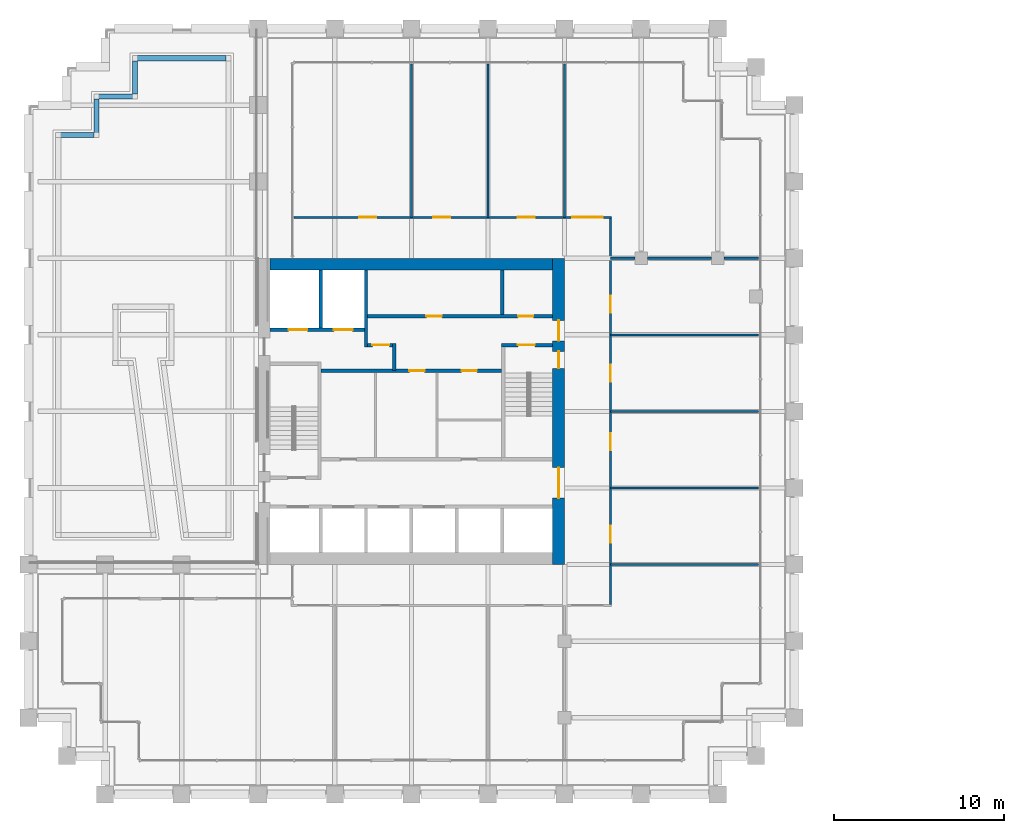
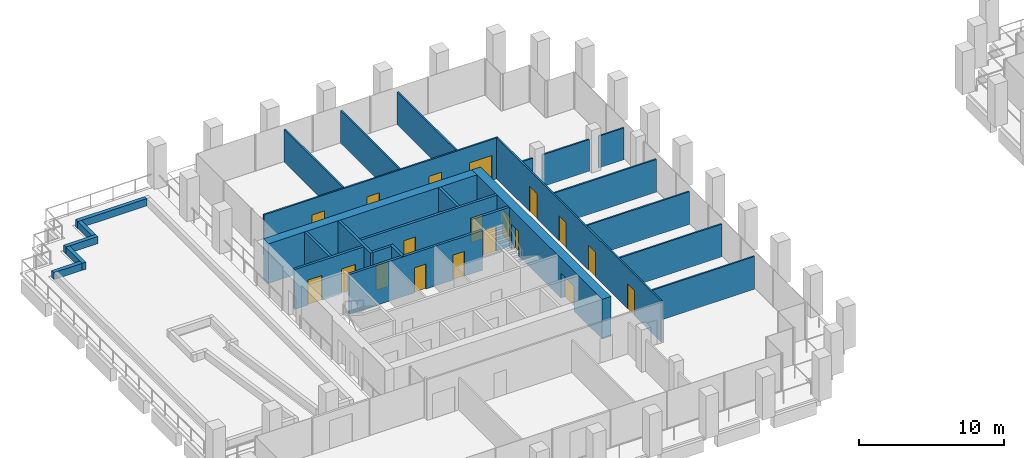
# One storey, part 46 of 52: 28 walls, 19 doors, 19 openings.
"""IFC4 building model written with IfcOpenShell, lengths in metres."""

import ifcopenshell
import ifcopenshell.guid

model = None  # the IFC model being written
_history = None  # IfcOwnerHistory: only IFC2X3 demands one
_inside = {}  # id of a spatial element -> (the spatial element, [elements in it])
_under = {}  # id of a project, library or spatial element -> (it, [spatial elements below it])
_declared = {}  # id of a project -> (the project, [libraries it declares])
_typed = {}  # id of a type object -> (the type object, [elements of that type])
_made_of = {}  # id of a material, layer set ... -> (it, [elements and type objects made of it])


def new_model(schema):
    """Start an empty IFC model of exactly this schema.

    Asked for "IFC4X3", IfcOpenShell would pick the latest addendum, in which some entities
    have other attributes; the version numbers below select the first issue.
    IFC2X3 requires an IfcOwnerHistory on every rooted entity: one is made here for all.
    """
    global model, _history
    if schema == "IFC4X3":
        model = ifcopenshell.file(schema_version=(4, 3, 0, 0))
    else:
        model = ifcopenshell.file(schema=schema)
    _inside.clear()
    _under.clear()
    _declared.clear()
    _typed.clear()
    _made_of.clear()
    _history = None
    if model.schema == "IFC2X3":
        org = make("IfcOrganization", Name="unknown")
        user = make(
            "IfcPersonAndOrganization",
            ThePerson=make("IfcPerson", FamilyName="unknown"),
            TheOrganization=org,
        )
        app = make(
            "IfcApplication",
            ApplicationDeveloper=org,
            Version="unknown",
            ApplicationFullName="unknown",
            ApplicationIdentifier="unknown",
        )
        _history = make(
            "IfcOwnerHistory",
            OwningUser=user,
            OwningApplication=app,
            ChangeAction="ADDED",
            CreationDate=0,
        )
    return model


def make(cls, **values):
    """One entity of the class cls with the attributes given. An attribute that is None is left unset."""
    return model.create_entity(
        cls, **{name: value for name, value in values.items() if value is not None}
    )


def rooted(cls, **values):
    """An entity with a GlobalId (a new one), such as an element, a storey or a relation."""
    return make(cls, GlobalId=ifcopenshell.guid.new(), OwnerHistory=_history, **values)


def si_unit(unit_type, name, prefix=None):
    """IfcSIUnit, for example si_unit("LENGTHUNIT", "METRE", prefix="MILLI")."""
    return make("IfcSIUnit", UnitType=unit_type, Prefix=prefix, Name=name)


def assignment(units):
    """IfcUnitAssignment: the units of a project."""
    return None if units is None else make("IfcUnitAssignment", Units=units)


def point(xyz):
    """IfcCartesianPoint."""
    return None if xyz is None else make("IfcCartesianPoint", Coordinates=xyz)


def direction(xyz):
    """IfcDirection."""
    return None if xyz is None else make("IfcDirection", DirectionRatios=xyz)


def frame(location, z_axis=None, x_axis=None):
    """IfcAxis2Placement3D, a coordinate frame: its origin and axes. An axis left out is left unset."""
    return make(
        "IfcAxis2Placement3D",
        Location=point(location),
        Axis=direction(z_axis),
        RefDirection=direction(x_axis),
    )


def frame_2d(location, x_axis=None):
    """IfcAxis2Placement2D, a coordinate frame in the plane: its origin and x axis."""
    return make(
        "IfcAxis2Placement2D", Location=point(location), RefDirection=direction(x_axis)
    )


def origin():
    """The frame at (0, 0, 0) with its axes left unset."""
    return frame((0.0, 0.0, 0.0))


def place(relative_to, where):
    """IfcLocalPlacement: puts the frame where relative to a parent placement (None: the world)."""
    return make(
        "IfcLocalPlacement", PlacementRelTo=relative_to, RelativePlacement=where
    )


def context(
    kind, dimensions, precision=None, world=None, true_north=None, identifier=None
):
    """IfcGeometricRepresentationContext, for example the 3D "Model" context."""
    return make(
        "IfcGeometricRepresentationContext",
        ContextIdentifier=identifier,
        ContextType=kind,
        CoordinateSpaceDimension=dimensions,
        Precision=precision,
        WorldCoordinateSystem=world,
        TrueNorth=true_north,
    )


def subcontext(parent, identifier, kind, view, scale=None):
    """IfcGeometricRepresentationSubContext, for example "Body" below "Model"."""
    return make(
        "IfcGeometricRepresentationSubContext",
        ContextIdentifier=identifier,
        ContextType=kind,
        ParentContext=parent,
        TargetScale=scale,
        TargetView=view,
    )


def project(units=None, contexts=None):
    """IfcProject with its units and contexts."""
    return rooted(
        "IfcProject",
        Name="project",
        RepresentationContexts=contexts,
        UnitsInContext=assignment(units),
    )


def spatial(cls, under=None, at=None, **own):
    """A site, building, storey or space (cls), placed at a placement, below another one or the project."""
    s = rooted(cls, ObjectPlacement=at, **own)
    if under is not None:
        _under.setdefault(under.id(), (under, []))[1].append(s)
    return s


def profile(cls, at=None, kind="AREA", **sizes):
    """A parametric profile (cls). Its sizes go by their IFC names, for example OverallWidth=200.0."""
    return make(cls, ProfileType=kind, Position=at, **sizes)


def rectangle(**sizes):
    """IfcRectangleProfileDef."""
    return profile("IfcRectangleProfileDef", **sizes)


def extrude(swept, where, along, depth):
    """IfcExtrudedAreaSolid: the profile swept, set in the frame where, extruded along a direction by depth."""
    return make(
        "IfcExtrudedAreaSolid",
        SweptArea=swept,
        Position=where,
        ExtrudedDirection=direction(along),
        Depth=depth,
    )


def shape(context_of_items, identifier, shape_type, items):
    """IfcShapeRepresentation: the items that make up one representation, for example the "Body"."""
    return make(
        "IfcShapeRepresentation",
        ContextOfItems=context_of_items,
        RepresentationIdentifier=identifier,
        RepresentationType=shape_type,
        Items=items,
    )


def material(Name=None, Category=None):
    """IfcMaterial."""
    return make("IfcMaterial", Name=Name, Category=Category)


def layer(
    of_material, thickness, ventilated=None, Name=None, Category=None, Priority=None
):
    """IfcMaterialLayer: one layer of a wall or slab, of a material (None: an air gap)."""
    return make(
        "IfcMaterialLayer",
        Material=of_material,
        LayerThickness=thickness,
        IsVentilated=ventilated,
        Name=Name,
        Category=Category,
        Priority=Priority,
    )


def layer_set(layers, Name=None):
    """IfcMaterialLayerSet."""
    return make("IfcMaterialLayerSet", MaterialLayers=layers, LayerSetName=Name)


def made_of(thing, what):
    """Note that an element or type object is made of a material, layer set ...; save() writes the relation."""
    if what is not None:
        _made_of.setdefault(what.id(), (what, []))[1].append(thing)
    return thing


def type_object(cls, material=None, **own):
    """A type object (cls), such as IfcWallType, which elements share."""
    return made_of(rooted(cls, **own), material)


def element(
    cls,
    number,
    at=None,
    inside=None,
    cuts=None,
    type_object=None,
    material=None,
    context=None,
    identifier="Body",
    shape_type=None,
    held_by="IfcProductDefinitionShape",
    body=None,
    shapes=None,
    **own,
):
    """One element of the class cls, such as IfcWall. Its Tag is "e" and its number.

    at: its placement. inside: the storey or other place that contains it. cuts: it is an
    opening in that element (IfcRelVoidsElement). A single representation is given by context,
    identifier, shape_type and body (its items); several are given by shapes. held_by: the class
    of the entity that holds the representations. save() writes the other relations.
    """
    e = rooted(cls, Tag="e%d" % number, ObjectPlacement=at, **own)
    if body is not None:
        shapes = [shape(context, identifier, shape_type, body)]
    if shapes is not None:
        e.Representation = make(held_by, Representations=shapes)
    if inside is not None:
        _inside.setdefault(inside.id(), (inside, []))[1].append(e)
    if cuts is not None:
        rooted(
            "IfcRelVoidsElement", RelatingBuildingElement=cuts, RelatedOpeningElement=e
        )
    if type_object is not None:
        _typed.setdefault(type_object.id(), (type_object, []))[1].append(e)
    return made_of(e, material)


def fill(opening, filler):
    """IfcRelFillsElement: the door or window that sits in an opening."""
    return rooted(
        "IfcRelFillsElement",
        RelatingOpeningElement=opening,
        RelatedBuildingElement=filler,
    )


def aggregate(whole, parts):
    """IfcRelAggregates: a whole, such as a stair, and the parts it consists of."""
    return rooted("IfcRelAggregates", RelatingObject=whole, RelatedObjects=parts)


def save(model, path):
    """Write the relations noted so far, then the file.

    IfcRelAggregates (storeys below a building ...), IfcRelContainedInSpatialStructure (elements
    in a storey), IfcRelDefinesByType, IfcRelAssociatesMaterial and IfcRelDeclares: one each for
    every whole, place, type object, material and project.
    """
    for whole, parts in _under.values():
        aggregate(whole, parts)
    for where, things in _inside.values():
        rooted(
            "IfcRelContainedInSpatialStructure",
            RelatedElements=things,
            RelatingStructure=where,
        )
    for kind, things in _typed.values():
        rooted("IfcRelDefinesByType", RelatedObjects=things, RelatingType=kind)
    for what, things in _made_of.values():
        rooted("IfcRelAssociatesMaterial", RelatedObjects=things, RelatingMaterial=what)
    for by, libraries in _declared.values():
        rooted("IfcRelDeclares", RelatingContext=by, RelatedDefinitions=libraries)
    model.write(path)


model = new_model("IFC4")

# Units and contexts
model_context = context("Model", 3, precision=1e-05, world=origin(), true_north=direction((0.0, 1.0)))
body_context = subcontext(model_context, "Body", "Model", "MODEL_VIEW")
ifc_project = project(units=[si_unit("LENGTHUNIT", "METRE"), si_unit("AREAUNIT", "SQUARE_METRE"), si_unit("VOLUMEUNIT", "CUBIC_METRE"), si_unit("PLANEANGLEUNIT", "RADIAN"), si_unit("MASSUNIT", "GRAM", prefix="KILO")], contexts=[model_context])

# Site, building, storey
site_placement = place(None, origin())
site = spatial("IfcSite", under=ifc_project, at=site_placement, CompositionType="ELEMENT")
building_placement = place(site_placement, origin())
building = spatial("IfcBuilding", under=site, at=building_placement, Name="Altepetl Exchange Towers", CompositionType="ELEMENT")
storey_placement = place(building_placement, frame((0.0, 0.0, 92.0)))
storey = spatial("IfcBuildingStorey", under=building, at=storey_placement, Name="L22", CompositionType="ELEMENT", Elevation=92.0)

# Wall, openings, doors
ifc_material_1 = material(Name="Concrete C70/85", Category="concrete")
ifc_layer_1 = layer(ifc_material_1, 0.699951171875)
ifc_layer_set_1 = layer_set([ifc_layer_1], Name="Concrete C70/85")
wall_type_1 = type_object("IfcWallType", Name="Core wall 700 reinforced concrete", PredefinedType="SHEAR", material=ifc_layer_set_1)
wall_1_placement = place(storey_placement, frame((58.14990234375, 40.5, 0.0), z_axis=(0.0, 0.0, 1.0), x_axis=(0.0, 1.0, 0.0)))
wall_1 = element("IfcWall", 1, at=wall_1_placement, inside=storey, type_object=wall_type_1, Name="wall:A:L22:K-coreE", PredefinedType="SHEAR", context=body_context, shape_type="SweptSolid", body=[
    extrude(rectangle(XDim=18.0, YDim=0.699951171875, at=frame_2d((9.0, 0.0))), origin(), (0.0, 0.0, 1.0), 3.35009765625),
])
opening_1_placement = place(wall_1_placement, frame((13.14990234375, 0.0, 0.0)))
opening_1 = element("IfcOpeningElement", 2, at=opening_1_placement, cuts=wall_1, Name="Opening L22.A60", PredefinedType="OPENING", context=body_context, shape_type="SweptSolid", body=[
    extrude(rectangle(XDim=1.199951171875, YDim=2.10009765625, at=frame_2d((0.60009765625, 1.050048828125))), frame((0.0, 0.35986328125, 0.0), z_axis=(0.0, -1.0, 0.0), x_axis=(1.0, 0.0, 0.0)), (0.0, 0.0, 1.0), 0.719970703125),
])
opening_2_placement = place(wall_1_placement, frame((3.89990234375, 0.0, 0.0)))
opening_2 = element("IfcOpeningElement", 3, at=opening_2_placement, cuts=wall_1, Name="Opening L22.A61", PredefinedType="OPENING", context=body_context, shape_type="SweptSolid", body=[
    extrude(rectangle(XDim=1.800048828125, YDim=2.10009765625, at=frame_2d((0.89990234375, 1.050048828125))), frame((0.0, 0.35986328125, 0.0), z_axis=(0.0, -1.0, 0.0), x_axis=(1.0, 0.0, 0.0)), (0.0, 0.0, 1.0), 0.719970703125),
])
opening_3_placement = place(wall_1_placement, frame((11.52490234375, 0.0, 0.0)))
opening_3 = element("IfcOpeningElement", 4, at=opening_3_placement, cuts=wall_1, Name="Opening L22.A66", PredefinedType="OPENING", context=body_context, shape_type="SweptSolid", body=[
    extrude(rectangle(XDim=1.0, YDim=2.10009765625, at=frame_2d((0.5, 1.050048828125))), frame((0.0, 0.35986328125, 0.0), z_axis=(0.0, -1.0, 0.0), x_axis=(1.0, 0.0, 0.0)), (0.0, 0.0, 1.0), 0.719970703125),
])
ifc_material_2 = material(Name="Steel and timber fire door", Category="steel")
door_type_1 = type_object("IfcDoorType", Name="Fire door 1000 x 2100 stair and lobby", OperationType="SINGLE_SWING_LEFT", PredefinedType="DOOR", material=ifc_material_2)
door_1_placement = place(opening_3_placement, origin())
door_1 = element("IfcDoor", 5, at=door_1_placement, inside=storey, type_object=door_type_1, Name="door:A:L22:K-dS2x", OperationType="SINGLE_SWING_RIGHT", OverallHeight=2.10009765625, OverallWidth=1.0, PredefinedType="DOOR", context=body_context, shape_type="SweptSolid", body=[
    extrude(rectangle(XDim=1.0, YDim=2.10009765625, at=frame_2d((0.5, 1.050048828125))), frame((0.0, 0.02490234375, 0.0), z_axis=(0.0, -1.0, 0.0), x_axis=(1.0, 0.0, 0.0)), (0.0, 0.0, 1.0), 0.050048828125),
])
fill(opening_3, door_1)
door_type_2 = type_object("IfcDoorType", Name="Fire door 1200 x 2100 lobby entry", OperationType="SINGLE_SWING_LEFT", PredefinedType="DOOR", material=ifc_material_2)
door_2_placement = place(opening_1_placement, origin())
door_2 = element("IfcDoor", 6, at=door_2_placement, inside=storey, type_object=door_type_2, Name="door:A:L22:K-dLNE", OperationType="SINGLE_SWING_RIGHT", OverallHeight=2.10009765625, OverallWidth=1.199951171875, PredefinedType="DOOR", context=body_context, shape_type="SweptSolid", body=[
    extrude(rectangle(XDim=1.199951171875, YDim=2.10009765625, at=frame_2d((0.60009765625, 1.050048828125))), frame((0.0, 0.02490234375, 0.0), z_axis=(0.0, -1.0, 0.0), x_axis=(1.0, 0.0, 0.0)), (0.0, 0.0, 1.0), 0.050048828125),
])
fill(opening_1, door_2)
door_type_3 = type_object("IfcDoorType", Name="Fire door 1800 x 2100 lobby entry", OperationType="DOUBLE_DOOR_SINGLE_SWING", PredefinedType="DOOR", material=ifc_material_2)
door_3_placement = place(opening_2_placement, origin())
door_3 = element("IfcDoor", 7, at=door_3_placement, inside=storey, type_object=door_type_3, Name="door:A:L22:K-dLSE", OperationType="DOUBLE_DOOR_SINGLE_SWING", OverallHeight=2.10009765625, OverallWidth=1.800048828125, PredefinedType="DOOR", context=body_context, shape_type="SweptSolid", body=[
    extrude(rectangle(XDim=1.800048828125, YDim=2.10009765625, at=frame_2d((0.89990234375, 1.050048828125))), frame((0.0, 0.02490234375, 0.0), z_axis=(0.0, -1.0, 0.0), x_axis=(1.0, 0.0, 0.0)), (0.0, 0.0, 1.0), 0.050048828125),
])
fill(opening_2, door_3)

# Walls
wall_2_placement = place(storey_placement, frame((41.199951171875, 58.14990234375, 0.0)))
element("IfcWall", 8, at=wall_2_placement, inside=storey, type_object=wall_type_1, Name="wall:A:L22:K-coreN", PredefinedType="SHEAR", context=body_context, shape_type="SweptSolid", body=[
    extrude(rectangle(XDim=16.60009765625, YDim=0.699951171875, at=frame_2d((8.300048828125, 0.0))), origin(), (0.0, 0.0, 1.0), 3.35009765625),
])
ifc_material_3 = material(Name="Concrete blockwork", Category="masonry")
ifc_layer_2 = layer(ifc_material_3, 0.199951171875)
ifc_layer_set_2 = layer_set([ifc_layer_2], Name="Concrete blockwork")
wall_type_2 = type_object("IfcWallType", Name="Lobby wall 200 blockwork", PredefinedType="PARTITIONING", material=ifc_layer_set_2)
wall_3_placement = place(storey_placement, frame((48.5, 51.89990234375, 0.0), z_axis=(0.0, 0.0, 1.0), x_axis=(0.0, 1.0, 0.0)))
element("IfcWall", 9, at=wall_3_placement, inside=storey, type_object=wall_type_2, Name="wall:A:L22:K-ffE", PredefinedType="PARTITIONING", context=body_context, shape_type="SweptSolid", body=[
    extrude(rectangle(XDim=1.60009765625, YDim=0.199951171875, at=frame_2d((0.800048828125, 0.0))), origin(), (0.0, 0.0, 1.0), 3.35009765625),
])

# Wall, opening, door
wall_4_placement = place(storey_placement, frame((46.933349609375, 53.39990234375, 0.0)))
wall_4 = element("IfcWall", 10, at=wall_4_placement, inside=storey, type_object=wall_type_2, Name="wall:A:L22:K-ffN", PredefinedType="PARTITIONING", context=body_context, shape_type="SweptSolid", body=[
    extrude(rectangle(XDim=1.466552734375, YDim=0.199951171875, at=frame_2d((0.7333984375, 0.0))), origin(), (0.0, 0.0, 1.0), 3.35009765625),
])
opening_4_placement = place(wall_4_placement, frame((0.2666015625, 0.0, 0.0)))
opening_4 = element("IfcOpeningElement", 11, at=opening_4_placement, cuts=wall_4, Name="Opening L22.A67", PredefinedType="OPENING", context=body_context, shape_type="SweptSolid", body=[
    extrude(rectangle(XDim=1.0, YDim=2.10009765625, at=frame_2d((0.5, 1.050048828125))), frame((0.0, 0.10986328125, 0.0), z_axis=(0.0, -1.0, 0.0), x_axis=(1.0, 0.0, 0.0)), (0.0, 0.0, 1.0), 0.219970703125),
])
door_4_placement = place(opening_4_placement, frame((1.0, 0.0, 0.0), x_axis=(-1.0, 0.0, 0.0)))
door_4 = element("IfcDoor", 12, at=door_4_placement, inside=storey, type_object=door_type_1, Name="door:A:L22:K-dffN", OperationType="SINGLE_SWING_LEFT", OverallHeight=2.10009765625, OverallWidth=1.0, PredefinedType="DOOR", context=body_context, shape_type="SweptSolid", body=[
    extrude(rectangle(XDim=1.0, YDim=2.10009765625, at=frame_2d((0.5, 1.050048828125))), frame((0.0, 0.02490234375, 0.0), z_axis=(0.0, -1.0, 0.0), x_axis=(1.0, 0.0, 0.0)), (0.0, 0.0, 1.0), 0.050048828125),
])
fill(opening_4, door_4)

# Wall, openings, doors
wall_5_placement = place(storey_placement, frame((44.199951171875, 51.89990234375, 0.0)))
wall_5 = element("IfcWall", 13, at=wall_5_placement, inside=storey, type_object=wall_type_2, Name="wall:A:L22:K-zoneN", PredefinedType="PARTITIONING", context=body_context, shape_type="SweptSolid", body=[
    extrude(rectangle(XDim=10.60009765625, YDim=0.199951171875, at=frame_2d((5.300048828125, 0.0))), origin(), (0.0, 0.0, 1.0), 3.35009765625),
])
opening_5_placement = place(wall_5_placement, frame((5.175048828125, 0.0, 0.0)))
opening_5 = element("IfcOpeningElement", 14, at=opening_5_placement, cuts=wall_5, Name="Opening L22.A72", PredefinedType="OPENING", context=body_context, shape_type="SweptSolid", body=[
    extrude(rectangle(XDim=0.89990234375, YDim=2.10009765625, at=frame_2d((0.449951171875, 1.050048828125))), frame((0.0, 0.10986328125, 0.0), z_axis=(0.0, -1.0, 0.0), x_axis=(1.0, 0.0, 0.0)), (0.0, 0.0, 1.0), 0.219970703125),
])
opening_6_placement = place(wall_5_placement, frame((8.25, 0.0, 0.0)))
opening_6 = element("IfcOpeningElement", 15, at=opening_6_placement, cuts=wall_5, Name="Opening L22.A74", PredefinedType="OPENING", context=body_context, shape_type="SweptSolid", body=[
    extrude(rectangle(XDim=0.89990234375, YDim=2.10009765625, at=frame_2d((0.449951171875, 1.050048828125))), frame((0.0, 0.10986328125, 0.0), z_axis=(0.0, -1.0, 0.0), x_axis=(1.0, 0.0, 0.0)), (0.0, 0.0, 1.0), 0.219970703125),
])
door_type_4 = type_object("IfcDoorType", Name="Fire door 900 x 2100 service room", OperationType="SINGLE_SWING_LEFT", PredefinedType="DOOR", material=ifc_material_2)
door_5_placement = place(opening_5_placement, frame((0.89990234375, 0.0, 0.0), x_axis=(-1.0, 0.0, 0.0)))
door_5 = element("IfcDoor", 16, at=door_5_placement, inside=storey, type_object=door_type_4, Name="door:A:L22:K-dz2", OperationType="SINGLE_SWING_LEFT", OverallHeight=2.10009765625, OverallWidth=0.89990234375, PredefinedType="DOOR", context=body_context, shape_type="SweptSolid", body=[
    extrude(rectangle(XDim=0.89990234375, YDim=2.10009765625, at=frame_2d((0.449951171875, 1.050048828125))), frame((0.0, 0.02490234375, 0.0), z_axis=(0.0, -1.0, 0.0), x_axis=(1.0, 0.0, 0.0)), (0.0, 0.0, 1.0), 0.050048828125),
])
fill(opening_5, door_5)
door_6_placement = place(opening_6_placement, frame((0.89990234375, 0.0, 0.0), x_axis=(-1.0, 0.0, 0.0)))
door_6 = element("IfcDoor", 17, at=door_6_placement, inside=storey, type_object=door_type_4, Name="door:A:L22:K-dz4", OperationType="SINGLE_SWING_LEFT", OverallHeight=2.10009765625, OverallWidth=0.89990234375, PredefinedType="DOOR", context=body_context, shape_type="SweptSolid", body=[
    extrude(rectangle(XDim=0.89990234375, YDim=2.10009765625, at=frame_2d((0.449951171875, 1.050048828125))), frame((0.0, 0.02490234375, 0.0), z_axis=(0.0, -1.0, 0.0), x_axis=(1.0, 0.0, 0.0)), (0.0, 0.0, 1.0), 0.050048828125),
])
fill(opening_6, door_6)

# Walls
ifc_material_4 = material(Name="Timber panels on aluminium track", Category="wood")
ifc_layer_3 = layer(ifc_material_4, 0.125)
ifc_layer_set_3 = layer_set([ifc_layer_3], Name="Timber panels on aluminium track")
wall_type_3 = type_object("IfcWallType", Name="Operable acoustic partition 125", PredefinedType="MOVABLE", material=ifc_layer_set_3)
for number, where, name in (
    (18, (61.199951171875, 45.0, 0.0), "wall:A:L22:P03"),
    (19, (61.199951171875, 49.5, 0.0), "wall:A:L22:P04"),
    (20, (61.199951171875, 54.0, 0.0), "wall:A:L22:P05"),
):
    element("IfcWall", number, at=place(storey_placement, frame(where)), inside=storey, type_object=wall_type_3, Name=name, PredefinedType="MOVABLE", context=body_context, shape_type="SweptSolid", body=[
        extrude(rectangle(XDim=8.699951171875, YDim=0.125, at=frame_2d((4.35009765625, 0.0))), origin(), (0.0, 0.0, 1.0), 2.76611328125),
    ])
ifc_material_5 = material(Name="Gypsum board on steel studs", Category="steel")
ifc_layer_4 = layer(ifc_material_5, 0.125)
ifc_layer_set_4 = layer_set([ifc_layer_4], Name="Gypsum board on steel studs")
wall_type_4 = type_object("IfcWallType", Name="Partition 125 gypsum board on steel studs", PredefinedType="PARTITIONING", material=ifc_layer_set_4)
wall_6_placement = place(storey_placement, frame((61.199951171875, 40.5, 0.0)))
element("IfcWall", 21, at=wall_6_placement, inside=storey, type_object=wall_type_4, Name="wall:A:L22:P02", PredefinedType="PARTITIONING", context=body_context, shape_type="SweptSolid", body=[
    extrude(rectangle(XDim=8.699951171875, YDim=0.125, at=frame_2d((4.35009765625, 0.0))), origin(), (0.0, 0.0, 1.0), 2.76611328125),
])
wall_7_placement = place(storey_placement, frame((61.199951171875, 58.5, 0.0)))
element("IfcWall", 22, at=wall_7_placement, inside=storey, type_object=wall_type_4, Name="wall:A:L22:P06", PredefinedType="PARTITIONING", context=body_context, shape_type="SweptSolid", body=[
    extrude(rectangle(XDim=1.425048828125, YDim=0.125, at=frame_2d((0.71240234375, 0.0))), origin(), (0.0, 0.0, 1.0), 2.676025390625),
])
wall_8_placement = place(storey_placement, frame((63.375, 58.5, 0.0)))
element("IfcWall", 23, at=wall_8_placement, inside=storey, type_object=wall_type_4, Name="wall:A:L22:P07", PredefinedType="PARTITIONING", context=body_context, shape_type="SweptSolid", body=[
    extrude(rectangle(XDim=3.75, YDim=0.125, at=frame_2d((1.875, 0.0))), origin(), (0.0, 0.0, 1.0), 2.676025390625),
])
wall_9_placement = place(storey_placement, frame((67.875, 58.5, 0.0)))
element("IfcWall", 24, at=wall_9_placement, inside=storey, type_object=wall_type_4, Name="wall:A:L22:P08", PredefinedType="PARTITIONING", context=body_context, shape_type="SweptSolid", body=[
    extrude(rectangle(XDim=2.02490234375, YDim=0.125, at=frame_2d((1.012451171875, 0.0))), origin(), (0.0, 0.0, 1.0), 2.676025390625),
])

# Wall, openings, doors
wall_10_placement = place(storey_placement, frame((42.60009765625, 60.89990234375, 0.0)))
wall_10 = element("IfcWall", 25, at=wall_10_placement, inside=storey, type_object=wall_type_4, Name="wall:A:L22:P09", PredefinedType="PARTITIONING", context=body_context, shape_type="SweptSolid", body=[
    extrude(rectangle(XDim=18.662353515625, YDim=0.125, at=frame_2d((9.3310546875, 0.0))), origin(), (0.0, 0.0, 1.0), 3.449951171875),
])
opening_7_placement = place(wall_10_placement, frame((16.35009765625, 0.0, 0.0)))
opening_7 = element("IfcOpeningElement", 26, at=opening_7_placement, cuts=wall_10, Name="Opening L22.A09", PredefinedType="OPENING", context=body_context, shape_type="SweptSolid", body=[
    extrude(rectangle(XDim=1.800048828125, YDim=2.10009765625, at=frame_2d((0.89990234375, 1.050048828125))), frame((0.0, 0.072509765625, 0.0), z_axis=(0.0, -1.0, 0.0), x_axis=(1.0, 0.0, 0.0)), (0.0, 0.0, 1.0), 0.14501953125),
])
opening_8_placement = place(wall_10_placement, frame((13.14990234375, 0.0, 0.0)))
opening_8 = element("IfcOpeningElement", 27, at=opening_8_placement, cuts=wall_10, Name="Opening L22.A10", PredefinedType="OPENING", context=body_context, shape_type="SweptSolid", body=[
    extrude(rectangle(XDim=1.0, YDim=2.10009765625, at=frame_2d((0.5, 1.050048828125))), frame((0.0, 0.072509765625, 0.0), z_axis=(0.0, -1.0, 0.0), x_axis=(1.0, 0.0, 0.0)), (0.0, 0.0, 1.0), 0.14501953125),
])
opening_9_placement = place(wall_10_placement, frame((8.195068359375, 0.0, 0.0)))
opening_9 = element("IfcOpeningElement", 28, at=opening_9_placement, cuts=wall_10, Name="Opening L22.A11", PredefinedType="OPENING", context=body_context, shape_type="SweptSolid", body=[
    extrude(rectangle(XDim=1.0, YDim=2.10009765625, at=frame_2d((0.5, 1.050048828125))), frame((0.0, 0.072509765625, 0.0), z_axis=(0.0, -1.0, 0.0), x_axis=(1.0, 0.0, 0.0)), (0.0, 0.0, 1.0), 0.14501953125),
])
opening_10_placement = place(wall_10_placement, frame((3.824951171875, 0.0, 0.0)))
opening_10 = element("IfcOpeningElement", 29, at=opening_10_placement, cuts=wall_10, Name="Opening L22.A12", PredefinedType="OPENING", context=body_context, shape_type="SweptSolid", body=[
    extrude(rectangle(XDim=1.0, YDim=2.10009765625, at=frame_2d((0.5, 1.050048828125))), frame((0.0, 0.072509765625, 0.0), z_axis=(0.0, -1.0, 0.0), x_axis=(1.0, 0.0, 0.0)), (0.0, 0.0, 1.0), 0.14501953125),
])
door_type_5 = type_object("IfcDoorType", Name="Fire door 1000 x 2100 single leaf", OperationType="SINGLE_SWING_LEFT", PredefinedType="DOOR", material=ifc_material_2)
door_7_placement = place(opening_8_placement, origin())
door_7 = element("IfcDoor", 30, at=door_7_placement, inside=storey, type_object=door_type_5, Name="door:A:L22:10", OperationType="SINGLE_SWING_LEFT", OverallHeight=2.10009765625, OverallWidth=1.0, PredefinedType="DOOR", context=body_context, shape_type="SweptSolid", body=[
    extrude(rectangle(XDim=1.0, YDim=2.10009765625, at=frame_2d((0.5, 1.050048828125))), frame((0.0, 0.02490234375, 0.0), z_axis=(0.0, -1.0, 0.0), x_axis=(1.0, 0.0, 0.0)), (0.0, 0.0, 1.0), 0.050048828125),
])
fill(opening_8, door_7)
door_8_placement = place(opening_9_placement, origin())
door_8 = element("IfcDoor", 31, at=door_8_placement, inside=storey, type_object=door_type_5, Name="door:A:L22:11", OperationType="SINGLE_SWING_RIGHT", OverallHeight=2.10009765625, OverallWidth=1.0, PredefinedType="DOOR", context=body_context, shape_type="SweptSolid", body=[
    extrude(rectangle(XDim=1.0, YDim=2.10009765625, at=frame_2d((0.5, 1.050048828125))), frame((0.0, 0.02490234375, 0.0), z_axis=(0.0, -1.0, 0.0), x_axis=(1.0, 0.0, 0.0)), (0.0, 0.0, 1.0), 0.050048828125),
])
fill(opening_9, door_8)
door_9_placement = place(opening_10_placement, origin())
door_9 = element("IfcDoor", 32, at=door_9_placement, inside=storey, type_object=door_type_5, Name="door:A:L22:12", OperationType="SINGLE_SWING_LEFT", OverallHeight=2.10009765625, OverallWidth=1.0, PredefinedType="DOOR", context=body_context, shape_type="SweptSolid", body=[
    extrude(rectangle(XDim=1.0, YDim=2.10009765625, at=frame_2d((0.5, 1.050048828125))), frame((0.0, 0.02490234375, 0.0), z_axis=(0.0, -1.0, 0.0), x_axis=(1.0, 0.0, 0.0)), (0.0, 0.0, 1.0), 0.050048828125),
])
fill(opening_10, door_9)
door_type_6 = type_object("IfcDoorType", Name="Fire door 1800 x 2100 double leaf", OperationType="DOUBLE_DOOR_SINGLE_SWING", PredefinedType="DOOR", material=ifc_material_2)
door_10_placement = place(opening_7_placement, origin())
door_10 = element("IfcDoor", 33, at=door_10_placement, inside=storey, type_object=door_type_6, Name="door:A:L22:09", OperationType="DOUBLE_DOOR_SINGLE_SWING", OverallHeight=2.10009765625, OverallWidth=1.800048828125, PredefinedType="DOOR", context=body_context, shape_type="SweptSolid", body=[
    extrude(rectangle(XDim=1.800048828125, YDim=2.10009765625, at=frame_2d((0.89990234375, 1.050048828125))), frame((0.0, 0.02490234375, 0.0), z_axis=(0.0, -1.0, 0.0), x_axis=(1.0, 0.0, 0.0)), (0.0, 0.0, 1.0), 0.050048828125),
])
fill(opening_7, door_10)

# Walls
for number, where, z_axis, x_axis, name in (
    (34, (49.5, 60.89990234375, 0.0), (0.0, 0.0, 1.0), (0.0, 1.0, 0.0), "wall:A:L22:P12"),
    (35, (54.0, 60.89990234375, 0.0), (0.0, 0.0, 1.0), (0.0, 1.0, 0.0), "wall:A:L22:P14"),
    (36, (58.5, 60.89990234375, 0.0), (0.0, 0.0, 1.0), (0.0, 1.0, 0.0), "wall:A:L22:P18"),
):
    element("IfcWall", number, at=place(storey_placement, frame(where, z_axis=z_axis, x_axis=x_axis)), inside=storey, type_object=wall_type_4, Name=name, PredefinedType="PARTITIONING", context=body_context, shape_type="SweptSolid", body=[
        extrude(rectangle(XDim=9.0, YDim=0.125, at=frame_2d((4.5, 0.0))), origin(), (0.0, 0.0, 1.0), 2.76611328125),
    ])

# Wall, openings, doors
wall_11_placement = place(storey_placement, frame((61.199951171875, 38.16259765625, 0.0), z_axis=(0.0, 0.0, 1.0), x_axis=(0.0, 1.0, 0.0)))
wall_11 = element("IfcWall", 37, at=wall_11_placement, inside=storey, type_object=wall_type_4, Name="wall:A:L22:P19", PredefinedType="PARTITIONING", context=body_context, shape_type="SweptSolid", body=[
    extrude(rectangle(XDim=22.6748046875, YDim=0.125, at=frame_2d((11.33740234375, 0.0))), origin(), (0.0, 0.0, 1.0), 3.449951171875),
])
opening_11_placement = place(wall_11_placement, frame((3.632568359375, 0.0, 0.0)))
opening_11 = element("IfcOpeningElement", 38, at=opening_11_placement, cuts=wall_11, Name="Opening L22.A05", PredefinedType="OPENING", context=body_context, shape_type="SweptSolid", body=[
    extrude(rectangle(XDim=1.0, YDim=2.10009765625, at=frame_2d((0.5, 1.050048828125))), frame((0.0, 0.072509765625, 0.0), z_axis=(0.0, -1.0, 0.0), x_axis=(1.0, 0.0, 0.0)), (0.0, 0.0, 1.0), 0.14501953125),
])
opening_12_placement = place(wall_11_placement, frame((9.04248046875, 0.0, 0.0)))
opening_12 = element("IfcOpeningElement", 39, at=opening_12_placement, cuts=wall_11, Name="Opening L22.A06", PredefinedType="OPENING", context=body_context, shape_type="SweptSolid", body=[
    extrude(rectangle(XDim=1.0, YDim=2.10009765625, at=frame_2d((0.5, 1.050048828125))), frame((0.0, 0.072509765625, 0.0), z_axis=(0.0, -1.0, 0.0), x_axis=(1.0, 0.0, 0.0)), (0.0, 0.0, 1.0), 0.14501953125),
])
opening_13_placement = place(wall_11_placement, frame((13.08740234375, 0.0, 0.0)))
opening_13 = element("IfcOpeningElement", 40, at=opening_13_placement, cuts=wall_11, Name="Opening L22.A07", PredefinedType="OPENING", context=body_context, shape_type="SweptSolid", body=[
    extrude(rectangle(XDim=1.0, YDim=2.10009765625, at=frame_2d((0.5, 1.050048828125))), frame((0.0, 0.072509765625, 0.0), z_axis=(0.0, -1.0, 0.0), x_axis=(1.0, 0.0, 0.0)), (0.0, 0.0, 1.0), 0.14501953125),
])
opening_14_placement = place(wall_11_placement, frame((17.132568359375, 0.0, 0.0)))
opening_14 = element("IfcOpeningElement", 41, at=opening_14_placement, cuts=wall_11, Name="Opening L22.A08", PredefinedType="OPENING", context=body_context, shape_type="SweptSolid", body=[
    extrude(rectangle(XDim=1.0, YDim=2.10009765625, at=frame_2d((0.5, 1.050048828125))), frame((0.0, 0.072509765625, 0.0), z_axis=(0.0, -1.0, 0.0), x_axis=(1.0, 0.0, 0.0)), (0.0, 0.0, 1.0), 0.14501953125),
])
door_11_placement = place(opening_11_placement, frame((1.0, 0.0, 0.0), x_axis=(-1.0, 0.0, 0.0)))
door_11 = element("IfcDoor", 42, at=door_11_placement, inside=storey, type_object=door_type_5, Name="door:A:L22:05", OperationType="SINGLE_SWING_LEFT", OverallHeight=2.10009765625, OverallWidth=1.0, PredefinedType="DOOR", context=body_context, shape_type="SweptSolid", body=[
    extrude(rectangle(XDim=1.0, YDim=2.10009765625, at=frame_2d((0.5, 1.050048828125))), frame((0.0, 0.02490234375, 0.0), z_axis=(0.0, -1.0, 0.0), x_axis=(1.0, 0.0, 0.0)), (0.0, 0.0, 1.0), 0.050048828125),
])
fill(opening_11, door_11)
door_12_placement = place(opening_12_placement, frame((1.0, 0.0, 0.0), x_axis=(-1.0, 0.0, 0.0)))
door_12 = element("IfcDoor", 43, at=door_12_placement, inside=storey, type_object=door_type_5, Name="door:A:L22:06", OperationType="SINGLE_SWING_RIGHT", OverallHeight=2.10009765625, OverallWidth=1.0, PredefinedType="DOOR", context=body_context, shape_type="SweptSolid", body=[
    extrude(rectangle(XDim=1.0, YDim=2.10009765625, at=frame_2d((0.5, 1.050048828125))), frame((0.0, 0.02490234375, 0.0), z_axis=(0.0, -1.0, 0.0), x_axis=(1.0, 0.0, 0.0)), (0.0, 0.0, 1.0), 0.050048828125),
])
fill(opening_12, door_12)
door_13_placement = place(opening_13_placement, frame((1.0, 0.0, 0.0), x_axis=(-1.0, 0.0, 0.0)))
door_13 = element("IfcDoor", 44, at=door_13_placement, inside=storey, type_object=door_type_5, Name="door:A:L22:07", OperationType="SINGLE_SWING_LEFT", OverallHeight=2.10009765625, OverallWidth=1.0, PredefinedType="DOOR", context=body_context, shape_type="SweptSolid", body=[
    extrude(rectangle(XDim=1.0, YDim=2.10009765625, at=frame_2d((0.5, 1.050048828125))), frame((0.0, 0.02490234375, 0.0), z_axis=(0.0, -1.0, 0.0), x_axis=(1.0, 0.0, 0.0)), (0.0, 0.0, 1.0), 0.050048828125),
])
fill(opening_13, door_13)
door_14_placement = place(opening_14_placement, frame((1.0, 0.0, 0.0), x_axis=(-1.0, 0.0, 0.0)))
door_14 = element("IfcDoor", 45, at=door_14_placement, inside=storey, type_object=door_type_5, Name="door:A:L22:08", OperationType="SINGLE_SWING_RIGHT", OverallHeight=2.10009765625, OverallWidth=1.0, PredefinedType="DOOR", context=body_context, shape_type="SweptSolid", body=[
    extrude(rectangle(XDim=1.0, YDim=2.10009765625, at=frame_2d((0.5, 1.050048828125))), frame((0.0, 0.02490234375, 0.0), z_axis=(0.0, -1.0, 0.0), x_axis=(1.0, 0.0, 0.0)), (0.0, 0.0, 1.0), 0.050048828125),
])
fill(opening_14, door_14)

# Walls
ifc_material_6 = material(Name="Concrete C30/37", Category="concrete")
ifc_layer_5 = layer(ifc_material_6, 0.300048828125)
ifc_layer_set_5 = layer_set([ifc_layer_5], Name="Concrete C30/37")
wall_type_5 = type_object("IfcWallType", Name="Planter wall 300 concrete", PredefinedType="SOLIDWALL", material=ifc_layer_set_5)
wall_12_placement = place(storey_placement, frame((33.39990234375, 68.0, 0.0), z_axis=(0.0, 0.0, 1.0), x_axis=(-1.0, 0.0, 0.0)))
element("IfcWall", 46, at=wall_12_placement, inside=storey, type_object=wall_type_5, Name="Planter bed wall", PredefinedType="SOLIDWALL", context=body_context, shape_type="SweptSolid", body=[
    extrude(rectangle(XDim=2.5498046875, YDim=0.300048828125, at=frame_2d((1.27490234375, 0.0))), origin(), (0.0, 0.0, 1.0), 0.60009765625),
])
for number, where, z_axis, x_axis, name in (
    (47, (31.0, 67.85009765625, 0.0), (0.0, 0.0, 1.0), (0.0, -1.0, 0.0), "Planter bed wall"),
    (48, (30.85009765625, 65.75, 0.0), (0.0, 0.0, 1.0), (-1.0, 0.0, 0.0), "Planter bed wall"),
):
    element("IfcWall", number, at=place(storey_placement, frame(where, z_axis=z_axis, x_axis=x_axis)), inside=storey, type_object=wall_type_5, Name=name, PredefinedType="SOLIDWALL", context=body_context, shape_type="SweptSolid", body=[
        extrude(rectangle(XDim=2.25, YDim=0.300048828125, at=frame_2d((1.125, 0.0))), origin(), (0.0, 0.0, 1.0), 0.60009765625),
    ])
wall_13_placement = place(storey_placement, frame((38.60009765625, 70.25, 0.0), z_axis=(0.0, 0.0, 1.0), x_axis=(-1.0, 0.0, 0.0)))
element("IfcWall", 49, at=wall_13_placement, inside=storey, type_object=wall_type_5, Name="Planter bed wall", PredefinedType="SOLIDWALL", context=body_context, shape_type="SweptSolid", body=[
    extrude(rectangle(XDim=5.5, YDim=0.300048828125, at=frame_2d((2.75, 0.0))), origin(), (0.0, 0.0, 1.0), 0.60009765625),
])
wall_14_placement = place(storey_placement, frame((33.25, 70.10009765625, 0.0), z_axis=(0.0, 0.0, 1.0), x_axis=(0.0, -1.0, 0.0)))
element("IfcWall", 50, at=wall_14_placement, inside=storey, type_object=wall_type_5, Name="Planter bed wall", PredefinedType="SOLIDWALL", context=body_context, shape_type="SweptSolid", body=[
    extrude(rectangle(XDim=1.9501953125, YDim=0.300048828125, at=frame_2d((0.97509765625, 0.0))), origin(), (0.0, 0.0, 1.0), 0.60009765625),
])
ifc_material_7 = material(Name="Concrete C40/50", Category="concrete")
ifc_layer_6 = layer(ifc_material_7, 0.199951171875)
ifc_layer_set_6 = layer_set([ifc_layer_6], Name="Concrete C40/50")
wall_type_6 = type_object("IfcWallType", Name="Shaft wall 200 reinforced concrete", PredefinedType="SHEAR", material=ifc_layer_set_6)
wall_15_placement = place(storey_placement, frame((44.166748046875, 57.800048828125, 0.0), z_axis=(0.0, 0.0, 1.0), x_axis=(0.0, -1.0, 0.0)))
element("IfcWall", 51, at=wall_15_placement, inside=storey, type_object=wall_type_6, Name="wall:A:L22:K-divN1", PredefinedType="SHEAR", context=body_context, shape_type="SweptSolid", body=[
    extrude(rectangle(XDim=3.400146484375, YDim=0.199951171875, at=frame_2d((1.7001953125, 0.0))), origin(), (0.0, 0.0, 1.0), 3.35009765625),
])
wall_16_placement = place(storey_placement, frame((46.833251953125, 57.800048828125, 0.0), z_axis=(0.0, 0.0, 1.0), x_axis=(0.0, -1.0, 0.0)))
element("IfcWall", 52, at=wall_16_placement, inside=storey, type_object=wall_type_6, Name="wall:A:L22:K-divN2", PredefinedType="SHEAR", context=body_context, shape_type="SweptSolid", body=[
    extrude(rectangle(XDim=4.5, YDim=0.199951171875, at=frame_2d((2.25, 0.0))), origin(), (0.0, 0.0, 1.0), 3.35009765625),
])
wall_17_placement = place(storey_placement, frame((54.833251953125, 57.800048828125, 0.0), z_axis=(0.0, 0.0, 1.0), x_axis=(0.0, -1.0, 0.0)))
element("IfcWall", 53, at=wall_17_placement, inside=storey, type_object=wall_type_6, Name="wall:A:L22:K-divN5", PredefinedType="SHEAR", context=body_context, shape_type="SweptSolid", body=[
    extrude(rectangle(XDim=2.60009765625, YDim=0.199951171875, at=frame_2d((1.300048828125, 0.0))), origin(), (0.0, 0.0, 1.0), 3.35009765625),
])

# Wall, openings, doors
wall_18_placement = place(storey_placement, frame((46.933349609375, 55.10009765625, 0.0)))
wall_18 = element("IfcWall", 54, at=wall_18_placement, inside=storey, type_object=wall_type_6, Name="wall:A:L22:K-frontNb", PredefinedType="SHEAR", context=body_context, shape_type="SweptSolid", body=[
    extrude(rectangle(XDim=10.86669921875, YDim=0.199951171875, at=frame_2d((5.433349609375, 0.0))), origin(), (0.0, 0.0, 1.0), 3.35009765625),
])
opening_15_placement = place(wall_18_placement, frame((8.83349609375, 0.0, 0.0)))
opening_15 = element("IfcOpeningElement", 55, at=opening_15_placement, cuts=wall_18, Name="Opening L22.A69", PredefinedType="OPENING", context=body_context, shape_type="SweptSolid", body=[
    extrude(rectangle(XDim=0.89990234375, YDim=2.10009765625, at=frame_2d((0.449951171875, 1.050048828125))), frame((0.0, 0.10986328125, 0.0), z_axis=(0.0, -1.0, 0.0), x_axis=(1.0, 0.0, 0.0)), (0.0, 0.0, 1.0), 0.219970703125),
])
opening_16_placement = place(wall_18_placement, frame((3.449951171875, 0.0, 0.0)))
opening_16 = element("IfcOpeningElement", 56, at=opening_16_placement, cuts=wall_18, Name="Opening L22.A70", PredefinedType="OPENING", context=body_context, shape_type="SweptSolid", body=[
    extrude(rectangle(XDim=0.89990234375, YDim=2.10009765625, at=frame_2d((0.449951171875, 1.050048828125))), frame((0.0, 0.10986328125, 0.0), z_axis=(0.0, -1.0, 0.0), x_axis=(1.0, 0.0, 0.0)), (0.0, 0.0, 1.0), 0.219970703125),
])
door_15_placement = place(opening_15_placement, origin())
door_15 = element("IfcDoor", 57, at=door_15_placement, inside=storey, type_object=door_type_4, Name="door:A:L22:K-driser", OperationType="SINGLE_SWING_RIGHT", OverallHeight=2.10009765625, OverallWidth=0.89990234375, PredefinedType="DOOR", context=body_context, shape_type="SweptSolid", body=[
    extrude(rectangle(XDim=0.89990234375, YDim=2.10009765625, at=frame_2d((0.449951171875, 1.050048828125))), frame((0.0, 0.02490234375, 0.0), z_axis=(0.0, -1.0, 0.0), x_axis=(1.0, 0.0, 0.0)), (0.0, 0.0, 1.0), 0.050048828125),
])
fill(opening_15, door_15)
door_16_placement = place(opening_16_placement, origin())
door_16 = element("IfcDoor", 58, at=door_16_placement, inside=storey, type_object=door_type_4, Name="door:A:L22:K-dslotN2", OperationType="SINGLE_SWING_RIGHT", OverallHeight=2.10009765625, OverallWidth=0.89990234375, PredefinedType="DOOR", context=body_context, shape_type="SweptSolid", body=[
    extrude(rectangle(XDim=0.89990234375, YDim=2.10009765625, at=frame_2d((0.449951171875, 1.050048828125))), frame((0.0, 0.02490234375, 0.0), z_axis=(0.0, -1.0, 0.0), x_axis=(1.0, 0.0, 0.0)), (0.0, 0.0, 1.0), 0.050048828125),
])
fill(opening_16, door_16)

wall_19_placement = place(storey_placement, frame((41.199951171875, 54.300048828125, 0.0)))
wall_19 = element("IfcWall", 59, at=wall_19_placement, inside=storey, type_object=wall_type_6, Name="wall:A:L22:K-frontNd", PredefinedType="SHEAR", context=body_context, shape_type="SweptSolid", body=[
    extrude(rectangle(XDim=5.533447265625, YDim=0.199951171875, at=frame_2d((2.7666015625, 0.0))), origin(), (0.0, 0.0, 1.0), 3.35009765625),
])
opening_17_placement = place(wall_19_placement, frame((1.083251953125, 0.0, 0.0)))
opening_17 = element("IfcOpeningElement", 60, at=opening_17_placement, cuts=wall_19, Name="Opening L22.A75", PredefinedType="OPENING", context=body_context, shape_type="SweptSolid", body=[
    extrude(rectangle(XDim=1.10009765625, YDim=2.10009765625, at=frame_2d((0.550048828125, 1.050048828125))), frame((0.0, 0.10986328125, 0.0), z_axis=(0.0, -1.0, 0.0), x_axis=(1.0, 0.0, 0.0)), (0.0, 0.0, 1.0), 0.219970703125),
])
opening_18_placement = place(wall_19_placement, frame((3.75, 0.0, 0.0)))
opening_18 = element("IfcOpeningElement", 61, at=opening_18_placement, cuts=wall_19, Name="Opening L22.A76", PredefinedType="OPENING", context=body_context, shape_type="SweptSolid", body=[
    extrude(rectangle(XDim=1.10009765625, YDim=2.10009765625, at=frame_2d((0.550048828125, 1.050048828125))), frame((0.0, 0.10986328125, 0.0), z_axis=(0.0, -1.0, 0.0), x_axis=(1.0, 0.0, 0.0)), (0.0, 0.0, 1.0), 0.219970703125),
])
ifc_material_8 = material(Name="Stainless steel", Category="steel")
door_type_7 = type_object("IfcDoorType", Name="Lift landing door 1100 x 2100", OperationType="SLIDING_TO_LEFT", PredefinedType="DOOR", material=ifc_material_8)
door_17_placement = place(opening_17_placement, origin())
door_17 = element("IfcDoor", 62, at=door_17_placement, inside=storey, type_object=door_type_7, Name="Landing door FFL1", OperationType="SLIDING_TO_LEFT", OverallHeight=2.10009765625, OverallWidth=1.10009765625, PredefinedType="DOOR", context=body_context, shape_type="SweptSolid", body=[
    extrude(rectangle(XDim=1.10009765625, YDim=2.10009765625, at=frame_2d((0.550048828125, 1.050048828125))), frame((0.0, 0.02490234375, 0.0), z_axis=(0.0, -1.0, 0.0), x_axis=(1.0, 0.0, 0.0)), (0.0, 0.0, 1.0), 0.050048828125),
])
fill(opening_17, door_17)
door_18_placement = place(opening_18_placement, origin())
door_18 = element("IfcDoor", 63, at=door_18_placement, inside=storey, type_object=door_type_7, Name="Landing door FFL2", OperationType="SLIDING_TO_LEFT", OverallHeight=2.10009765625, OverallWidth=1.10009765625, PredefinedType="DOOR", context=body_context, shape_type="SweptSolid", body=[
    extrude(rectangle(XDim=1.10009765625, YDim=2.10009765625, at=frame_2d((0.550048828125, 1.050048828125))), frame((0.0, 0.02490234375, 0.0), z_axis=(0.0, -1.0, 0.0), x_axis=(1.0, 0.0, 0.0)), (0.0, 0.0, 1.0), 0.050048828125),
])
fill(opening_18, door_18)

# Wall, opening, door
ifc_layer_7 = layer(ifc_material_7, 0.199951171875)
ifc_layer_set_7 = layer_set([ifc_layer_7], Name="Concrete C40/50")
wall_type_7 = type_object("IfcWallType", Name="Stair wall 200 reinforced concrete", PredefinedType="SHEAR", material=ifc_layer_set_7)
wall_20_placement = place(storey_placement, frame((54.800048828125, 53.39990234375, 0.0)))
wall_20 = element("IfcWall", 64, at=wall_20_placement, inside=storey, type_object=wall_type_7, Name="wall:A:L22:K-stS2N", PredefinedType="SHEAR", context=body_context, shape_type="SweptSolid", body=[
    extrude(rectangle(XDim=3.0, YDim=0.199951171875, at=frame_2d((1.5, 0.0))), origin(), (0.0, 0.0, 1.0), 3.35009765625),
])
opening_19_placement = place(wall_20_placement, frame((0.949951171875, 0.0, 0.0)))
opening_19 = element("IfcOpeningElement", 65, at=opening_19_placement, cuts=wall_20, Name="Opening L22.A65", PredefinedType="OPENING", context=body_context, shape_type="SweptSolid", body=[
    extrude(rectangle(XDim=1.0, YDim=2.10009765625, at=frame_2d((0.5, 1.050048828125))), frame((0.0, 0.10986328125, 0.0), z_axis=(0.0, -1.0, 0.0), x_axis=(1.0, 0.0, 0.0)), (0.0, 0.0, 1.0), 0.219970703125),
])
door_19_placement = place(opening_19_placement, frame((1.0, 0.0, 0.0), x_axis=(-1.0, 0.0, 0.0)))
door_19 = element("IfcDoor", 66, at=door_19_placement, inside=storey, type_object=door_type_1, Name="door:A:L22:K-dS2in", OperationType="SINGLE_SWING_LEFT", OverallHeight=2.10009765625, OverallWidth=1.0, PredefinedType="DOOR", context=body_context, shape_type="SweptSolid", body=[
    extrude(rectangle(XDim=1.0, YDim=2.10009765625, at=frame_2d((0.5, 1.050048828125))), frame((0.0, 0.02490234375, 0.0), z_axis=(0.0, -1.0, 0.0), x_axis=(1.0, 0.0, 0.0)), (0.0, 0.0, 1.0), 0.050048828125),
])
fill(opening_19, door_19)

save(model, "model.ifc")
